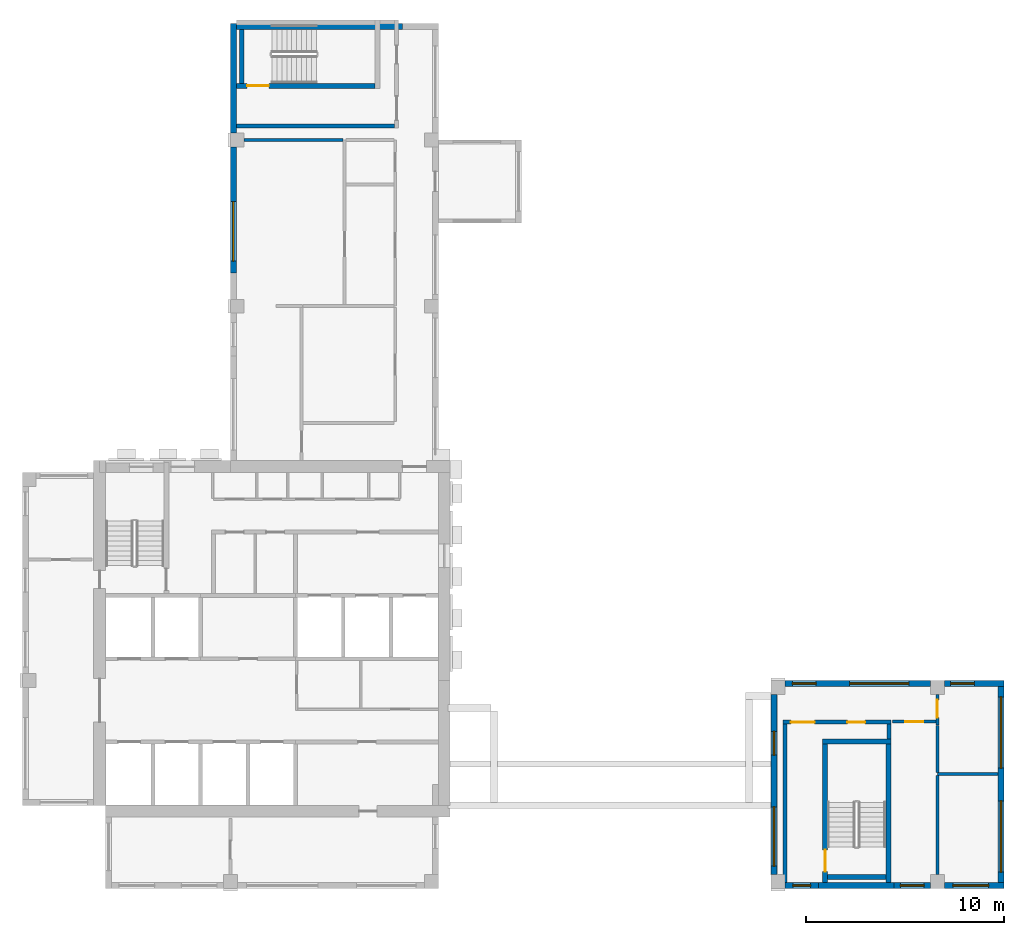
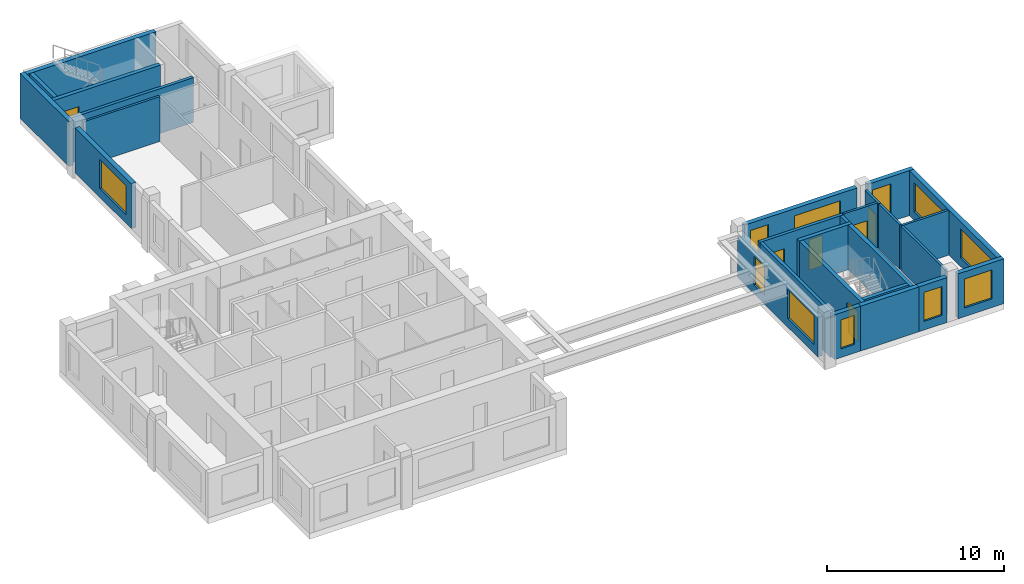
# One storey, part 4 of 8: 27 walls, 11 windows, 6 doors, 17 openings.
"""IFC4 building model written with IfcOpenShell, lengths in metres."""

from ifc_helpers import new_model, si_unit, direction, frame, frame_2d, origin, place, context, subcontext, project, spatial, rectangle, extrude, source, transform, mapped, material, layer, layer_set, type_object, element, fill, save


model = new_model("IFC4")

# Units and contexts
model_context = context("Model", 3, precision=1e-05, world=origin(), true_north=direction((0.0, 1.0)))
body_context = subcontext(model_context, "Body", "Model", "MODEL_VIEW")
ifc_project = project(units=[si_unit("LENGTHUNIT", "METRE"), si_unit("AREAUNIT", "SQUARE_METRE"), si_unit("VOLUMEUNIT", "CUBIC_METRE"), si_unit("PLANEANGLEUNIT", "RADIAN"), si_unit("MASSUNIT", "GRAM", prefix="KILO")], contexts=[model_context])

# Site, building, storey
site_placement = place(None, origin())
site = spatial("IfcSite", under=ifc_project, at=site_placement, CompositionType="ELEMENT")
building_placement = place(site_placement, origin())
building = spatial("IfcBuilding", under=site, at=building_placement, Name="Aurelian Terraces", CompositionType="ELEMENT")
storey_placement = place(building_placement, frame((0.0, 0.0, 302.0)))
storey = spatial("IfcBuildingStorey", under=building, at=storey_placement, Name="L69", CompositionType="ELEMENT", Elevation=302.0)

# Wall, opening, window
ifc_material_1 = material(Name="Terracotta rainscreen cladding", Category="masonry")
ifc_layer_1 = layer(ifc_material_1, 0.3)
ifc_layer_set_1 = layer_set([ifc_layer_1], Name="EW-300")
wall_type_1 = type_object("IfcWallType", Name="EW-300", PredefinedType="STANDARD", material=ifc_layer_set_1)
shared_shape_1 = source(origin(), body_context, "Body", "SweptSolid", [
    extrude(rectangle(XDim=3.01, YDim=0.3, at=frame_2d((1.505, 0.0))), origin(), (0.0, 0.0, 1.0), 3.1),
])
wall_1_placement = place(storey_placement, frame((46.55, 0.15, 0.0), z_axis=(0.0, 0.0, 1.0), x_axis=(1.0, 0.0, 0.0)))
wall_1 = element("IfcWall", 1, at=wall_1_placement, inside=storey, type_object=wall_type_1, Name="External wall L69 F13.22", PredefinedType="STANDARD", context=body_context, shape_type="MappedRepresentation", body=[
    mapped(shared_shape_1, transform((0.0, 0.0, 0.0), scale=1.0)),
])
shared_shape_2 = source(origin(), body_context, "Body", "SweptSolid", [
    extrude(rectangle(XDim=1.8, YDim=2.0, at=frame_2d((0.9, 1.0))), frame((0.0, 0.16, 0.0), z_axis=(0.0, -1.0, 0.0), x_axis=(1.0, 0.0, 0.0)), (0.0, 0.0, 1.0), 0.32),
])
opening_1_placement = place(wall_1_placement, frame((0.43, 0.0, 0.6)))
opening_1 = element("IfcOpeningElement", 2, at=opening_1_placement, cuts=wall_1, Name="Opening W1820", PredefinedType="OPENING", context=body_context, shape_type="MappedRepresentation", body=[
    mapped(shared_shape_2, transform((0.0, 0.0, 0.0), scale=1.0)),
])
ifc_material_2 = material(Name="Clear glazing", Category="glass")
window_type_1 = type_object("IfcWindowType", Name="W-1800x2000", PartitioningType="SINGLE_PANEL", PredefinedType="WINDOW", material=ifc_material_2)
shared_shape_3 = source(origin(), body_context, "Body", "SweptSolid", [
    extrude(rectangle(XDim=1.8, YDim=2.0, at=frame_2d((0.9, 1.0))), frame((0.0, 0.03, 0.0), z_axis=(0.0, -1.0, 0.0), x_axis=(1.0, 0.0, 0.0)), (0.0, 0.0, 1.0), 0.06),
])
window_1_placement = place(opening_1_placement, origin())
window_1 = element("IfcWindow", 3, at=window_1_placement, inside=storey, type_object=window_type_1, Name="Window L69 L69-F13-22-0", OverallHeight=2.0, OverallWidth=1.8, PartitioningType="SINGLE_PANEL", PredefinedType="WINDOW", context=body_context, shape_type="MappedRepresentation", body=[
    mapped(shared_shape_3, transform((0.0, 0.0, 0.0), scale=1.0)),
])
fill(opening_1, window_1)

wall_2_placement = place(storey_placement, frame((49.56, 10.35, 0.0), z_axis=(0.0, 0.0, 1.0), x_axis=(-1.0, 0.0, 0.0)))
wall_2 = element("IfcWall", 4, at=wall_2_placement, inside=storey, type_object=wall_type_1, Name="External wall L69 F15.24", PredefinedType="STANDARD", context=body_context, shape_type="MappedRepresentation", body=[
    mapped(shared_shape_1, transform((0.0, 0.0, 0.0), scale=1.0)),
])
shared_shape_4 = source(origin(), body_context, "Body", "SweptSolid", [
    extrude(rectangle(XDim=1.2, YDim=2.0, at=frame_2d((0.6, 1.0))), frame((0.0, 0.16, 0.0), z_axis=(0.0, -1.0, 0.0), x_axis=(1.0, 0.0, 0.0)), (0.0, 0.0, 1.0), 0.32),
])
opening_2_placement = place(wall_2_placement, frame((1.5, 0.0, 0.6)))
opening_2 = element("IfcOpeningElement", 5, at=opening_2_placement, cuts=wall_2, Name="Opening W1220", PredefinedType="OPENING", context=body_context, shape_type="MappedRepresentation", body=[
    mapped(shared_shape_4, transform((0.0, 0.0, 0.0), scale=1.0)),
])
window_type_2 = type_object("IfcWindowType", Name="W-1200x2000", PartitioningType="SINGLE_PANEL", PredefinedType="WINDOW", material=ifc_material_2)
shared_shape_5 = source(origin(), body_context, "Body", "SweptSolid", [
    extrude(rectangle(XDim=1.2, YDim=2.0, at=frame_2d((0.6, 1.0))), frame((0.0, 0.03, 0.0), z_axis=(0.0, -1.0, 0.0), x_axis=(1.0, 0.0, 0.0)), (0.0, 0.0, 1.0), 0.06),
])
window_2_placement = place(opening_2_placement, origin())
window_2 = element("IfcWindow", 6, at=window_2_placement, inside=storey, type_object=window_type_2, Name="Window L69 L69-F15-24-0", OverallHeight=2.0, OverallWidth=1.2, PartitioningType="SINGLE_PANEL", PredefinedType="WINDOW", context=body_context, shape_type="MappedRepresentation", body=[
    mapped(shared_shape_5, transform((0.0, 0.0, 0.0), scale=1.0)),
])
fill(opening_2, window_2)

# Wall
ifc_material_3 = material(Name="Concrete fc' 40 MPa", Category="concrete")
ifc_layer_2 = layer(ifc_material_3, 0.3)
ifc_layer_set_2 = layer_set([ifc_layer_2], Name="STAIR BAY WALL 300")
wall_type_2 = type_object("IfcWallType", Name="STAIR BAY WALL 300", PredefinedType="SOLIDWALL", material=ifc_layer_set_2)
shared_shape_6 = source(origin(), body_context, "Body", "SweptSolid", [
    extrude(rectangle(XDim=3.8, YDim=0.3, at=frame_2d((1.9, 0.0))), origin(), (0.0, 0.0, 1.0), 3.1),
])
wall_3_placement = place(storey_placement, frame((40.2, 0.15, 0.0), z_axis=(0.0, 0.0, 1.0), x_axis=(1.0, 0.0, 0.0)))
element("IfcWall", 7, at=wall_3_placement, inside=storey, type_object=wall_type_2, Name="Stair bay wall L69 F13.21", PredefinedType="SOLIDWALL", context=body_context, shape_type="MappedRepresentation", body=[
    mapped(shared_shape_6, transform((0.0, 0.0, 0.0), scale=1.0)),
])

# Wall, opening, window
shared_shape_7 = source(origin(), body_context, "Body", "SweptSolid", [
    extrude(rectangle(XDim=1.85, YDim=0.3, at=frame_2d((0.925, 0.0))), origin(), (0.0, 0.0, 1.0), 3.1),
])
wall_4_placement = place(storey_placement, frame((44.0, 0.15, 0.0), z_axis=(0.0, 0.0, 1.0), x_axis=(1.0, 0.0, 0.0)))
wall_4 = element("IfcWall", 8, at=wall_4_placement, inside=storey, type_object=wall_type_1, Name="External wall L69 F13.21", PredefinedType="STANDARD", context=body_context, shape_type="MappedRepresentation", body=[
    mapped(shared_shape_7, transform((0.0, 0.0, 0.0), scale=1.0)),
])
opening_3_placement = place(wall_4_placement, frame((0.325, 0.0, 0.6)))
opening_3 = element("IfcOpeningElement", 9, at=opening_3_placement, cuts=wall_4, Name="Opening W1220", PredefinedType="OPENING", context=body_context, shape_type="MappedRepresentation", body=[
    mapped(shared_shape_4, transform((0.0, 0.0, 0.0), scale=1.0)),
])
window_3_placement = place(opening_3_placement, origin())
window_3 = element("IfcWindow", 10, at=window_3_placement, inside=storey, type_object=window_type_2, Name="Window L69 L69-F13-21-P2", OverallHeight=2.0, OverallWidth=1.2, PartitioningType="SINGLE_PANEL", PredefinedType="WINDOW", context=body_context, shape_type="MappedRepresentation", body=[
    mapped(shared_shape_5, transform((0.0, 0.0, 0.0), scale=1.0)),
])
fill(opening_3, window_3)

# Wall, openings, windows
shared_shape_8 = source(origin(), body_context, "Body", "SweptSolid", [
    extrude(rectangle(XDim=10.5, YDim=0.3, at=frame_2d((5.25, 0.0))), origin(), (0.0, 0.0, 1.0), 3.1),
])
wall_5_placement = place(storey_placement, frame((49.41, 0.0, 0.0), z_axis=(0.0, 0.0, 1.0), x_axis=(0.0, 1.0, 0.0)))
wall_5 = element("IfcWall", 11, at=wall_5_placement, inside=storey, type_object=wall_type_1, Name="External wall L69 F14.23", PredefinedType="STANDARD", context=body_context, shape_type="MappedRepresentation", body=[
    mapped(shared_shape_8, transform((0.0, 0.0, 0.0), scale=1.0)),
])
shared_shape_9 = source(origin(), body_context, "Body", "SweptSolid", [
    extrude(rectangle(XDim=3.6, YDim=2.0, at=frame_2d((1.8, 1.0))), frame((0.0, 0.16, 0.0), z_axis=(0.0, -1.0, 0.0), x_axis=(1.0, 0.0, 0.0)), (0.0, 0.0, 1.0), 0.32),
])
opening_4_placement = place(wall_5_placement, frame((0.825, 0.0, 0.6)))
opening_4 = element("IfcOpeningElement", 12, at=opening_4_placement, cuts=wall_5, Name="Opening W3620", PredefinedType="OPENING", context=body_context, shape_type="MappedRepresentation", body=[
    mapped(shared_shape_9, transform((0.0, 0.0, 0.0), scale=1.0)),
])
opening_5_placement = place(wall_5_placement, frame((6.075, 0.0, 0.6)))
opening_5 = element("IfcOpeningElement", 13, at=opening_5_placement, cuts=wall_5, Name="Opening W3620", PredefinedType="OPENING", context=body_context, shape_type="MappedRepresentation", body=[
    mapped(shared_shape_9, transform((0.0, 0.0, 0.0), scale=1.0)),
])
window_type_3 = type_object("IfcWindowType", Name="W-3600x2000", PartitioningType="SINGLE_PANEL", PredefinedType="WINDOW", material=ifc_material_2)
shared_shape_10 = source(origin(), body_context, "Body", "SweptSolid", [
    extrude(rectangle(XDim=3.6, YDim=2.0, at=frame_2d((1.8, 1.0))), frame((0.0, 0.03, 0.0), z_axis=(0.0, -1.0, 0.0), x_axis=(1.0, 0.0, 0.0)), (0.0, 0.0, 1.0), 0.06),
])
window_4_placement = place(opening_4_placement, origin())
window_4 = element("IfcWindow", 14, at=window_4_placement, inside=storey, type_object=window_type_3, Name="Window L69 L69-F14-23-0", OverallHeight=2.0, OverallWidth=3.6, PartitioningType="SINGLE_PANEL", PredefinedType="WINDOW", context=body_context, shape_type="MappedRepresentation", body=[
    mapped(shared_shape_10, transform((0.0, 0.0, 0.0), scale=1.0)),
])
fill(opening_4, window_4)
window_5_placement = place(opening_5_placement, origin())
window_5 = element("IfcWindow", 15, at=window_5_placement, inside=storey, type_object=window_type_3, Name="Window L69 L69-F14-23-1", OverallHeight=2.0, OverallWidth=3.6, PartitioningType="SINGLE_PANEL", PredefinedType="WINDOW", context=body_context, shape_type="MappedRepresentation", body=[
    mapped(shared_shape_10, transform((0.0, 0.0, 0.0), scale=1.0)),
])
fill(opening_5, window_5)

# Walls
shared_shape_11 = source(origin(), body_context, "Body", "SweptSolid", [
    extrude(rectangle(XDim=8.6, YDim=0.3, at=frame_2d((4.3, 0.0))), origin(), (0.0, 0.0, 1.0), 3.1),
])
wall_6_placement = place(storey_placement, frame((19.2, 43.53, 0.0), z_axis=(0.0, 0.0, 1.0), x_axis=(-1.0, 0.0, 0.0)))
element("IfcWall", 16, at=wall_6_placement, inside=storey, type_object=wall_type_2, Name="Stair bay wall L69 F03.9", PredefinedType="SOLIDWALL", context=body_context, shape_type="MappedRepresentation", body=[
    mapped(shared_shape_11, transform((0.0, 0.0, 0.0), scale=1.0)),
])
shared_shape_12 = source(origin(), body_context, "Body", "SweptSolid", [
    extrude(rectangle(XDim=5.53, YDim=0.3, at=frame_2d((2.765, 0.0))), origin(), (0.0, 0.0, 1.0), 3.1),
])
wall_7_placement = place(storey_placement, frame((10.65, 43.68, 0.0), z_axis=(0.0, 0.0, 1.0), x_axis=(0.0, -1.0, 0.0)))
element("IfcWall", 17, at=wall_7_placement, inside=storey, type_object=wall_type_2, Name="Stair bay wall L69 F04.10", PredefinedType="SOLIDWALL", context=body_context, shape_type="MappedRepresentation", body=[
    mapped(shared_shape_12, transform((0.0, 0.0, 0.0), scale=1.0)),
])

# Wall, opening, window
shared_shape_13 = source(origin(), body_context, "Body", "SweptSolid", [
    extrude(rectangle(XDim=6.37, YDim=0.3, at=frame_2d((3.185, 0.0))), origin(), (0.0, 0.0, 1.0), 3.1),
])
wall_8_placement = place(storey_placement, frame((10.65, 37.45, 0.0), z_axis=(0.0, 0.0, 1.0), x_axis=(0.0, -1.0, 0.0)))
wall_8 = element("IfcWall", 18, at=wall_8_placement, inside=storey, type_object=wall_type_1, Name="External wall L69 F04.10", PredefinedType="STANDARD", context=body_context, shape_type="MappedRepresentation", body=[
    mapped(shared_shape_13, transform((0.0, 0.0, 0.0), scale=1.0)),
])
shared_shape_14 = source(origin(), body_context, "Body", "SweptSolid", [
    extrude(rectangle(XDim=3.0, YDim=2.0, at=frame_2d((1.5, 1.0))), frame((0.0, 0.16, 0.0), z_axis=(0.0, -1.0, 0.0), x_axis=(1.0, 0.0, 0.0)), (0.0, 0.0, 1.0), 0.32),
])
opening_6_placement = place(wall_8_placement, frame((2.77, 0.0, 0.6)))
opening_6 = element("IfcOpeningElement", 19, at=opening_6_placement, cuts=wall_8, Name="Opening W3020", PredefinedType="OPENING", context=body_context, shape_type="MappedRepresentation", body=[
    mapped(shared_shape_14, transform((0.0, 0.0, 0.0), scale=1.0)),
])
window_type_4 = type_object("IfcWindowType", Name="W-3000x2000", PartitioningType="SINGLE_PANEL", PredefinedType="WINDOW", material=ifc_material_2)
shared_shape_15 = source(origin(), body_context, "Body", "SweptSolid", [
    extrude(rectangle(XDim=3.0, YDim=2.0, at=frame_2d((1.5, 1.0))), frame((0.0, 0.03, 0.0), z_axis=(0.0, -1.0, 0.0), x_axis=(1.0, 0.0, 0.0)), (0.0, 0.0, 1.0), 0.06),
])
window_6_placement = place(opening_6_placement, origin())
window_6 = element("IfcWindow", 20, at=window_6_placement, inside=storey, type_object=window_type_4, Name="Window L69 L69-F04-10-2", OverallHeight=2.0, OverallWidth=3.0, PartitioningType="SINGLE_PANEL", PredefinedType="WINDOW", context=body_context, shape_type="MappedRepresentation", body=[
    mapped(shared_shape_15, transform((0.0, 0.0, 0.0), scale=1.0)),
])
fill(opening_6, window_6)

shared_shape_16 = source(origin(), body_context, "Body", "SweptSolid", [
    extrude(rectangle(XDim=1.7, YDim=0.3, at=frame_2d((0.85, 0.0))), origin(), (0.0, 0.0, 1.0), 3.1),
])
wall_9_placement = place(storey_placement, frame((38.5, 0.15, 0.0), z_axis=(0.0, 0.0, 1.0), x_axis=(1.0, 0.0, 0.0)))
wall_9 = element("IfcWall", 21, at=wall_9_placement, inside=storey, type_object=wall_type_1, Name="External wall L69 F13.21", PredefinedType="STANDARD", context=body_context, shape_type="MappedRepresentation", body=[
    mapped(shared_shape_16, transform((0.0, 0.0, 0.0), scale=1.0)),
])
shared_shape_17 = source(origin(), body_context, "Body", "SweptSolid", [
    extrude(rectangle(XDim=0.9, YDim=2.0, at=frame_2d((0.45, 1.0))), frame((0.0, 0.16, 0.0), z_axis=(0.0, -1.0, 0.0), x_axis=(1.0, 0.0, 0.0)), (0.0, 0.0, 1.0), 0.32),
])
opening_7_placement = place(wall_9_placement, frame((0.4, 0.0, 0.6)))
opening_7 = element("IfcOpeningElement", 22, at=opening_7_placement, cuts=wall_9, Name="Opening W0920", PredefinedType="OPENING", context=body_context, shape_type="MappedRepresentation", body=[
    mapped(shared_shape_17, transform((0.0, 0.0, 0.0), scale=1.0)),
])
window_type_5 = type_object("IfcWindowType", Name="W-900x2000", PartitioningType="SINGLE_PANEL", PredefinedType="WINDOW", material=ifc_material_2)
shared_shape_18 = source(origin(), body_context, "Body", "SweptSolid", [
    extrude(rectangle(XDim=0.9, YDim=2.0, at=frame_2d((0.45, 1.0))), frame((0.0, 0.03, 0.0), z_axis=(0.0, -1.0, 0.0), x_axis=(1.0, 0.0, 0.0)), (0.0, 0.0, 1.0), 0.06),
])
window_7_placement = place(opening_7_placement, origin())
window_7 = element("IfcWindow", 23, at=window_7_placement, inside=storey, type_object=window_type_5, Name="Window L69 L69-F13-21-P0", OverallHeight=2.0, OverallWidth=0.9, PartitioningType="SINGLE_PANEL", PredefinedType="WINDOW", context=body_context, shape_type="MappedRepresentation", body=[
    mapped(shared_shape_18, transform((0.0, 0.0, 0.0), scale=1.0)),
])
fill(opening_7, window_7)

# Wall, openings, windows
shared_shape_19 = source(origin(), body_context, "Body", "SweptSolid", [
    extrude(rectangle(XDim=7.35, YDim=0.3, at=frame_2d((3.675, 0.0))), origin(), (0.0, 0.0, 1.0), 3.1),
])
wall_10_placement = place(storey_placement, frame((45.85, 10.35, 0.0), z_axis=(0.0, 0.0, 1.0), x_axis=(-1.0, 0.0, 0.0)))
wall_10 = element("IfcWall", 24, at=wall_10_placement, inside=storey, type_object=wall_type_1, Name="External wall L69 F15.24", PredefinedType="STANDARD", context=body_context, shape_type="MappedRepresentation", body=[
    mapped(shared_shape_19, transform((0.0, 0.0, 0.0), scale=1.0)),
])
opening_8_placement = place(wall_10_placement, frame((1.09, 0.0, 0.6)))
opening_8 = element("IfcOpeningElement", 25, at=opening_8_placement, cuts=wall_10, Name="Opening W3020", PredefinedType="OPENING", context=body_context, shape_type="MappedRepresentation", body=[
    mapped(shared_shape_14, transform((0.0, 0.0, 0.0), scale=1.0)),
])
opening_9_placement = place(wall_10_placement, frame((5.77, 0.0, 0.6)))
opening_9 = element("IfcOpeningElement", 26, at=opening_9_placement, cuts=wall_10, Name="Opening W1220", PredefinedType="OPENING", context=body_context, shape_type="MappedRepresentation", body=[
    mapped(shared_shape_4, transform((0.0, 0.0, 0.0), scale=1.0)),
])
window_8_placement = place(opening_8_placement, origin())
window_8 = element("IfcWindow", 27, at=window_8_placement, inside=storey, type_object=window_type_4, Name="Window L69 L69-F15-24-1", OverallHeight=2.0, OverallWidth=3.0, PartitioningType="SINGLE_PANEL", PredefinedType="WINDOW", context=body_context, shape_type="MappedRepresentation", body=[
    mapped(shared_shape_15, transform((0.0, 0.0, 0.0), scale=1.0)),
])
fill(opening_8, window_8)
window_9_placement = place(opening_9_placement, origin())
window_9 = element("IfcWindow", 28, at=window_9_placement, inside=storey, type_object=window_type_2, Name="Window L69 L69-F15-24-2", OverallHeight=2.0, OverallWidth=1.2, PartitioningType="SINGLE_PANEL", PredefinedType="WINDOW", context=body_context, shape_type="MappedRepresentation", body=[
    mapped(shared_shape_5, transform((0.0, 0.0, 0.0), scale=1.0)),
])
fill(opening_9, window_9)

shared_shape_20 = source(origin(), body_context, "Body", "SweptSolid", [
    extrude(rectangle(XDim=9.1, YDim=0.3, at=frame_2d((4.55, 0.0))), origin(), (0.0, 0.0, 1.0), 2.7438),
])
wall_11_placement = place(storey_placement, frame((37.95, 9.8, 0.0), z_axis=(0.0, 0.0, 1.0), x_axis=(0.0, -1.0, 0.0)))
wall_11 = element("IfcWall", 29, at=wall_11_placement, inside=storey, type_object=wall_type_1, Name="External wall L69 F16.25", PredefinedType="STANDARD", context=body_context, shape_type="MappedRepresentation", body=[
    mapped(shared_shape_20, transform((0.0, 0.0, 0.0), scale=1.0)),
])
opening_10_placement = place(wall_11_placement, frame((1.8625, 0.0, 0.6)))
opening_10 = element("IfcOpeningElement", 30, at=opening_10_placement, cuts=wall_11, Name="Opening W1220", PredefinedType="OPENING", context=body_context, shape_type="MappedRepresentation", body=[
    mapped(shared_shape_4, transform((0.0, 0.0, 0.0), scale=1.0)),
])
opening_11_placement = place(wall_11_placement, frame((5.675, 0.0, 0.6)))
opening_11 = element("IfcOpeningElement", 31, at=opening_11_placement, cuts=wall_11, Name="Opening W3020", PredefinedType="OPENING", context=body_context, shape_type="MappedRepresentation", body=[
    mapped(shared_shape_14, transform((0.0, 0.0, 0.0), scale=1.0)),
])
window_10_placement = place(opening_11_placement, origin())
window_10 = element("IfcWindow", 32, at=window_10_placement, inside=storey, type_object=window_type_4, Name="Window L69 L69-F16-25-1", OverallHeight=2.0, OverallWidth=3.0, PartitioningType="SINGLE_PANEL", PredefinedType="WINDOW", context=body_context, shape_type="MappedRepresentation", body=[
    mapped(shared_shape_15, transform((0.0, 0.0, 0.0), scale=1.0)),
])
fill(opening_11, window_10)
window_11_placement = place(opening_10_placement, origin())
window_11 = element("IfcWindow", 33, at=window_11_placement, inside=storey, type_object=window_type_2, Name="Window L69 L69-F16-25-0", OverallHeight=2.0, OverallWidth=1.2, PartitioningType="SINGLE_PANEL", PredefinedType="WINDOW", context=body_context, shape_type="MappedRepresentation", body=[
    mapped(shared_shape_5, transform((0.0, 0.0, 0.0), scale=1.0)),
])
fill(opening_10, window_11)

# Wall, opening, door
ifc_layer_3 = layer(ifc_material_3, 0.25)
ifc_layer_set_3 = layer_set([ifc_layer_3], Name="Stair enclosure wall 250")
wall_type_3 = type_object("IfcWallType", Name="Stair enclosure wall 250", PredefinedType="SOLIDWALL", material=ifc_layer_set_3)
shared_shape_21 = source(origin(), body_context, "Body", "SweptSolid", [
    extrude(rectangle(XDim=7.0, YDim=0.25, at=frame_2d((3.5, 0.0))), origin(), (0.0, 0.0, 1.0), 3.1),
])
wall_12_placement = place(storey_placement, frame((40.525, 0.3, 0.0), z_axis=(0.0, 0.0, 1.0), x_axis=(0.0, 1.0, 0.0)))
wall_12 = element("IfcWall", 34, at=wall_12_placement, inside=storey, type_object=wall_type_3, Name="L69 core wall ST-S2-W", PredefinedType="SOLIDWALL", context=body_context, shape_type="MappedRepresentation", body=[
    mapped(shared_shape_21, transform((0.0, 0.0, 0.0), scale=1.0)),
])
shared_shape_22 = source(origin(), body_context, "Body", "SweptSolid", [
    extrude(rectangle(XDim=1.1, YDim=2.1, at=frame_2d((0.55, 1.05))), frame((0.0, 0.135, 0.0), z_axis=(0.0, -1.0, 0.0), x_axis=(1.0, 0.0, 0.0)), (0.0, 0.0, 1.0), 0.27),
])
opening_12_placement = place(wall_12_placement, frame((0.55, 0.0, 0.0)))
opening_12 = element("IfcOpeningElement", 35, at=opening_12_placement, cuts=wall_12, Name="Opening 67222", PredefinedType="OPENING", context=body_context, shape_type="MappedRepresentation", body=[
    mapped(shared_shape_22, transform((0.0, 0.0, 0.0), scale=1.0)),
])
ifc_material_4 = material(Name="Steel door leaf", Category="steel")
door_type_1 = type_object("IfcDoorType", Name="Core fire door 1100x2100", OperationType="SINGLE_SWING_LEFT", PredefinedType="DOOR", material=ifc_material_4)
shared_shape_23 = source(origin(), body_context, "Body", "SweptSolid", [
    extrude(rectangle(XDim=1.1, YDim=2.1, at=frame_2d((0.55, 1.05))), frame((0.0, 0.025, 0.0), z_axis=(0.0, -1.0, 0.0), x_axis=(1.0, 0.0, 0.0)), (0.0, 0.0, 1.0), 0.05),
])
door_1_placement = place(opening_12_placement, origin())
door_1 = element("IfcDoor", 36, at=door_1_placement, inside=storey, type_object=door_type_1, Name="Stair door 67222", OperationType="SINGLE_SWING_LEFT", OverallHeight=2.1, OverallWidth=1.1, PredefinedType="DOOR", context=body_context, shape_type="MappedRepresentation", body=[
    mapped(shared_shape_23, transform((0.0, 0.0, 0.0), scale=1.0)),
])
fill(opening_12, door_1)

# Wall
wall_13_placement = place(storey_placement, frame((43.725, 0.3, 0.0), z_axis=(0.0, 0.0, 1.0), x_axis=(0.0, 1.0, 0.0)))
element("IfcWall", 37, at=wall_13_placement, inside=storey, type_object=wall_type_3, Name="L69 core wall ST-S2-E", PredefinedType="SOLIDWALL", context=body_context, shape_type="MappedRepresentation", body=[
    mapped(shared_shape_21, transform((0.0, 0.0, 0.0), scale=1.0)),
])

# Wall, opening, door
wall_14_placement = place(storey_placement, frame((10.8, 40.525, 0.0), z_axis=(0.0, 0.0, 1.0), x_axis=(1.0, 0.0, 0.0)))
wall_14 = element("IfcWall", 38, at=wall_14_placement, inside=storey, type_object=wall_type_3, Name="L69 core wall ST-S3U-W", PredefinedType="SOLIDWALL", context=body_context, shape_type="MappedRepresentation", body=[
    mapped(shared_shape_21, transform((0.0, 0.0, 0.0), scale=1.0)),
])
opening_13_placement = place(wall_14_placement, frame((0.55, 0.0, 0.0)))
opening_13 = element("IfcOpeningElement", 39, at=opening_13_placement, cuts=wall_14, Name="Opening 67225", PredefinedType="OPENING", context=body_context, shape_type="MappedRepresentation", body=[
    mapped(shared_shape_22, transform((0.0, 0.0, 0.0), scale=1.0)),
])
door_type_2 = type_object("IfcDoorType", Name="Core fire door 1100x2100 right", OperationType="SINGLE_SWING_RIGHT", PredefinedType="DOOR", material=ifc_material_4)
door_2_placement = place(opening_13_placement, origin())
door_2 = element("IfcDoor", 40, at=door_2_placement, inside=storey, type_object=door_type_2, Name="Stair door 67225", OperationType="SINGLE_SWING_RIGHT", OverallHeight=2.1, OverallWidth=1.1, PredefinedType="DOOR", context=body_context, shape_type="MappedRepresentation", body=[
    mapped(shared_shape_23, transform((0.0, 0.0, 0.0), scale=1.0)),
])
fill(opening_13, door_2)

# Walls
shared_shape_24 = source(origin(), body_context, "Body", "SweptSolid", [
    extrude(rectangle(XDim=3.45, YDim=0.25, at=frame_2d((1.725, 0.0))), origin(), (0.0, 0.0, 1.0), 3.1),
])
wall_15_placement = place(storey_placement, frame((40.4, 7.425, 0.0), z_axis=(0.0, 0.0, 1.0), x_axis=(1.0, 0.0, 0.0)))
element("IfcWall", 41, at=wall_15_placement, inside=storey, type_object=wall_type_3, Name="L69 core wall ST-S2-N", PredefinedType="SOLIDWALL", context=body_context, shape_type="MappedRepresentation", body=[
    mapped(shared_shape_24, transform((0.0, 0.0, 0.0), scale=1.0)),
])
ifc_material_5 = material(Name="Gypsum board on steel studs", Category="steel")
ifc_layer_4 = layer(ifc_material_5, 0.2)
ifc_layer_set_4 = layer_set([ifc_layer_4], Name="Core partition 200")
wall_type_4 = type_object("IfcWallType", Name="Core partition 200", PredefinedType="PARTITIONING", material=ifc_layer_set_4)
shared_shape_25 = source(origin(), body_context, "Body", "SweptSolid", [
    extrude(rectangle(XDim=8.0, YDim=0.2, at=frame_2d((4.0, 0.0))), origin(), (0.0, 0.0, 1.0), 3.1),
])
for number, where, z_axis, x_axis, name in (
    (42, (38.5, 0.3, 0.0), (0.0, 0.0, 1.0), (0.0, 1.0, 0.0), "L69 core wall ST-S2-VW"),
    (43, (10.8, 38.5, 0.0), (0.0, 0.0, 1.0), (1.0, 0.0, 0.0), "L69 core wall ST-S3U-VW"),
):
    element("IfcWall", number, at=place(storey_placement, frame(where, z_axis=z_axis, x_axis=x_axis)), inside=storey, type_object=wall_type_4, Name=name, PredefinedType="PARTITIONING", context=body_context, shape_type="MappedRepresentation", body=[
        mapped(shared_shape_25, transform((0.0, 0.0, 0.0), scale=1.0)),
    ])

# Wall, openings, doors
shared_shape_26 = source(origin(), body_context, "Body", "SweptSolid", [
    extrude(rectangle(XDim=5.45, YDim=0.2, at=frame_2d((2.725, 0.0))), origin(), (0.0, 0.0, 1.0), 3.1),
])
wall_16_placement = place(storey_placement, frame((38.4, 8.4, 0.0), z_axis=(0.0, 0.0, 1.0), x_axis=(1.0, 0.0, 0.0)))
wall_16 = element("IfcWall", 44, at=wall_16_placement, inside=storey, type_object=wall_type_4, Name="L69 core wall ST-S2-BN", PredefinedType="PARTITIONING", context=body_context, shape_type="MappedRepresentation", body=[
    mapped(shared_shape_26, transform((0.0, 0.0, 0.0), scale=1.0)),
])
shared_shape_27 = source(origin(), body_context, "Body", "SweptSolid", [
    extrude(rectangle(XDim=1.2, YDim=2.1, at=frame_2d((0.6, 1.05))), frame((0.0, 0.11, 0.0), z_axis=(0.0, -1.0, 0.0), x_axis=(1.0, 0.0, 0.0)), (0.0, 0.0, 1.0), 0.22),
])
opening_14_placement = place(wall_16_placement, frame((0.4, 0.0, 0.0)))
opening_14 = element("IfcOpeningElement", 45, at=opening_14_placement, cuts=wall_16, Name="Opening 67223", PredefinedType="OPENING", context=body_context, shape_type="MappedRepresentation", body=[
    mapped(shared_shape_27, transform((0.0, 0.0, 0.0), scale=1.0)),
])
shared_shape_28 = source(origin(), body_context, "Body", "SweptSolid", [
    extrude(rectangle(XDim=0.9, YDim=2.1, at=frame_2d((0.45, 1.05))), frame((0.0, 0.11, 0.0), z_axis=(0.0, -1.0, 0.0), x_axis=(1.0, 0.0, 0.0)), (0.0, 0.0, 1.0), 0.22),
])
opening_15_placement = place(wall_16_placement, frame((3.25, 0.0, 0.0)))
opening_15 = element("IfcOpeningElement", 46, at=opening_15_placement, cuts=wall_16, Name="Opening 67224", PredefinedType="OPENING", context=body_context, shape_type="MappedRepresentation", body=[
    mapped(shared_shape_28, transform((0.0, 0.0, 0.0), scale=1.0)),
])
door_type_3 = type_object("IfcDoorType", Name="Core riser door 900x2100", OperationType="SINGLE_SWING_LEFT", PredefinedType="DOOR", material=ifc_material_4)
shared_shape_29 = source(origin(), body_context, "Body", "SweptSolid", [
    extrude(rectangle(XDim=0.9, YDim=2.1, at=frame_2d((0.45, 1.05))), frame((0.0, 0.025, 0.0), z_axis=(0.0, -1.0, 0.0), x_axis=(1.0, 0.0, 0.0)), (0.0, 0.0, 1.0), 0.05),
])
door_3_placement = place(opening_15_placement, origin())
door_3 = element("IfcDoor", 47, at=door_3_placement, inside=storey, type_object=door_type_3, Name="Riser door 67224", OperationType="SINGLE_SWING_LEFT", OverallHeight=2.1, OverallWidth=0.9, PredefinedType="DOOR", context=body_context, shape_type="MappedRepresentation", body=[
    mapped(shared_shape_29, transform((0.0, 0.0, 0.0), scale=1.0)),
])
fill(opening_15, door_3)
door_type_4 = type_object("IfcDoorType", Name="Core fire door 1200x2100 right", OperationType="SINGLE_SWING_RIGHT", PredefinedType="DOOR", material=ifc_material_4)
shared_shape_30 = source(origin(), body_context, "Body", "SweptSolid", [
    extrude(rectangle(XDim=1.2, YDim=2.1, at=frame_2d((0.6, 1.05))), frame((0.0, 0.025, 0.0), z_axis=(0.0, -1.0, 0.0), x_axis=(1.0, 0.0, 0.0)), (0.0, 0.0, 1.0), 0.05),
])
door_4_placement = place(opening_14_placement, origin())
door_4 = element("IfcDoor", 48, at=door_4_placement, inside=storey, type_object=door_type_4, Name="Vestibule door 67223", OperationType="SINGLE_SWING_RIGHT", OverallHeight=2.1, OverallWidth=1.2, PredefinedType="DOOR", context=body_context, shape_type="MappedRepresentation", body=[
    mapped(shared_shape_30, transform((0.0, 0.0, 0.0), scale=1.0)),
])
fill(opening_14, door_4)

# Walls
shared_shape_31 = source(origin(), body_context, "Body", "SweptSolid", [
    extrude(rectangle(XDim=0.75, YDim=0.2, at=frame_2d((0.375, 0.0))), origin(), (0.0, 0.0, 1.0), 3.1),
])
wall_17_placement = place(storey_placement, frame((43.75, 7.55, 0.0), z_axis=(0.0, 0.0, 1.0), x_axis=(0.0, 1.0, 0.0)))
element("IfcWall", 49, at=wall_17_placement, inside=storey, type_object=wall_type_4, Name="L69 core wall ST-S2-RE", PredefinedType="PARTITIONING", context=body_context, shape_type="MappedRepresentation", body=[
    mapped(shared_shape_31, transform((0.0, 0.0, 0.0), scale=1.0)),
])
shared_shape_32 = source(origin(), body_context, "Body", "SweptSolid", [
    extrude(rectangle(XDim=2.95, YDim=0.25, at=frame_2d((1.475, 0.0))), origin(), (0.0, 0.0, 1.0), 3.1),
])
wall_18_placement = place(storey_placement, frame((40.65, 0.575, 0.0), z_axis=(0.0, 0.0, 1.0), x_axis=(1.0, 0.0, 0.0)))
element("IfcWall", 50, at=wall_18_placement, inside=storey, type_object=wall_type_3, Name="L69 core wall ST-S2-SS", PredefinedType="SOLIDWALL", context=body_context, shape_type="MappedRepresentation", body=[
    mapped(shared_shape_32, transform((0.0, 0.0, 0.0), scale=1.0)),
])
shared_shape_33 = source(origin(), body_context, "Body", "SweptSolid", [
    extrude(rectangle(XDim=2.73, YDim=0.25, at=frame_2d((1.365, 0.0))), origin(), (0.0, 0.0, 1.0), 3.1),
])
wall_19_placement = place(storey_placement, frame((11.075, 40.65, 0.0), z_axis=(0.0, 0.0, 1.0), x_axis=(0.0, 1.0, 0.0)))
element("IfcWall", 51, at=wall_19_placement, inside=storey, type_object=wall_type_3, Name="L69 core wall ST-S3U-SS", PredefinedType="SOLIDWALL", context=body_context, shape_type="MappedRepresentation", body=[
    mapped(shared_shape_33, transform((0.0, 0.0, 0.0), scale=1.0)),
])
ifc_layer_5 = layer(ifc_material_5, 0.15)
ifc_layer_set_5 = layer_set([ifc_layer_5], Name="Partition 150")
wall_type_5 = type_object("IfcWallType", Name="Partition 150", PredefinedType="PARTITIONING", material=ifc_layer_set_5)
shared_shape_34 = source(origin(), body_context, "Body", "SweptSolid", [
    extrude(rectangle(XDim=3.06, YDim=0.15, at=frame_2d((1.53, 0.0))), origin(), (0.0, 0.0, 1.0), 3.1),
])
wall_20_placement = place(storey_placement, frame((49.26, 5.775, 0.0), z_axis=(0.0, 0.0, 1.0), x_axis=(-1.0, 0.0, 0.0)))
element("IfcWall", 52, at=wall_20_placement, inside=storey, type_object=wall_type_5, Name="Partition", PredefinedType="PARTITIONING", context=body_context, shape_type="MappedRepresentation", body=[
    mapped(shared_shape_34, transform((0.0, 0.0, 0.0), scale=1.0)),
])

# Wall, opening, door
shared_shape_35 = source(origin(), body_context, "Body", "SweptSolid", [
    extrude(rectangle(XDim=2.2, YDim=0.15, at=frame_2d((1.1, 0.0))), origin(), (0.0, 0.0, 1.0), 3.1),
])
wall_21_placement = place(storey_placement, frame((46.125, 8.425, 0.0), z_axis=(0.0, 0.0, 1.0), x_axis=(-1.0, 0.0, 0.0)))
wall_21 = element("IfcWall", 53, at=wall_21_placement, inside=storey, type_object=wall_type_5, Name="Partition", PredefinedType="PARTITIONING", context=body_context, shape_type="MappedRepresentation", body=[
    mapped(shared_shape_35, transform((0.0, 0.0, 0.0), scale=1.0)),
])
shared_shape_36 = source(origin(), body_context, "Body", "SweptSolid", [
    extrude(rectangle(XDim=0.9, YDim=2.1, at=frame_2d((0.45, 1.05))), frame((0.0, 0.085, 0.0), z_axis=(0.0, -1.0, 0.0), x_axis=(1.0, 0.0, 0.0)), (0.0, 0.0, 1.0), 0.17),
])
opening_16_placement = place(wall_21_placement, frame((0.65, 0.0, 0.0)))
opening_16 = element("IfcOpeningElement", 54, at=opening_16_placement, cuts=wall_21, Name="Opening 769002", PredefinedType="OPENING", context=body_context, shape_type="MappedRepresentation", body=[
    mapped(shared_shape_36, transform((0.0, 0.0, 0.0), scale=1.0)),
])
ifc_material_6 = material(Name="Timber door leaf", Category="wood")
door_type_5 = type_object("IfcDoorType", Name="Room door 900x2100 left", OperationType="SINGLE_SWING_LEFT", PredefinedType="DOOR", material=ifc_material_6)
door_5_placement = place(opening_16_placement, origin())
door_5 = element("IfcDoor", 55, at=door_5_placement, inside=storey, type_object=door_type_5, Name="Door 769002", OperationType="SINGLE_SWING_LEFT", OverallHeight=2.1, OverallWidth=0.9, PredefinedType="DOOR", context=body_context, shape_type="MappedRepresentation", body=[
    mapped(shared_shape_29, transform((0.0, 0.0, 0.0), scale=1.0)),
])
fill(opening_16, door_5)

# Walls
ifc_layer_6 = layer(ifc_material_5, 0.15)
ifc_layer_set_6 = layer_set([ifc_layer_6], Name="Fire partition 150")
wall_type_6 = type_object("IfcWallType", Name="Fire partition 150", PredefinedType="PARTITIONING", material=ifc_layer_set_6)
shared_shape_37 = source(origin(), body_context, "Body", "SweptSolid", [
    extrude(rectangle(XDim=5.001, YDim=0.15, at=frame_2d((2.5005, 0.0))), origin(), (0.0, 0.0, 1.0), 3.1),
])
for number, where, z_axis, x_axis, name in (
    (56, (46.2, 0.699, 0.0), (0.0, 0.0, 1.0), (0.0, 1.0, 0.0), "Party wall"),
    (57, (16.2, 37.8, 0.0), (0.0, 0.0, 1.0), (-1.0, 0.0, 0.0), "Party wall"),
):
    element("IfcWall", number, at=place(storey_placement, frame(where, z_axis=z_axis, x_axis=x_axis)), inside=storey, type_object=wall_type_6, Name=name, PredefinedType="PARTITIONING", context=body_context, shape_type="MappedRepresentation", body=[
        mapped(shared_shape_37, transform((0.0, 0.0, 0.0), scale=1.0)),
    ])

# Wall, opening, door
shared_shape_38 = source(origin(), body_context, "Body", "SweptSolid", [
    extrude(rectangle(XDim=1.551, YDim=0.15, at=frame_2d((0.7755, 0.0))), origin(), (0.0, 0.0, 1.0), 3.1),
])
wall_22_placement = place(storey_placement, frame((46.2, 9.801, 0.0), z_axis=(0.0, 0.0, 1.0), x_axis=(0.0, -1.0, 0.0)))
wall_22 = element("IfcWall", 58, at=wall_22_placement, inside=storey, type_object=wall_type_5, Name="Partition", PredefinedType="PARTITIONING", context=body_context, shape_type="MappedRepresentation", body=[
    mapped(shared_shape_38, transform((0.0, 0.0, 0.0), scale=1.0)),
])
opening_17_placement = place(wall_22_placement, frame((0.275, 0.0, 0.0)))
opening_17 = element("IfcOpeningElement", 59, at=opening_17_placement, cuts=wall_22, Name="Opening 769009", PredefinedType="OPENING", context=body_context, shape_type="MappedRepresentation", body=[
    mapped(shared_shape_36, transform((0.0, 0.0, 0.0), scale=1.0)),
])
door_6_placement = place(opening_17_placement, origin())
door_6 = element("IfcDoor", 60, at=door_6_placement, inside=storey, type_object=door_type_5, Name="Door 769009", OperationType="SINGLE_SWING_LEFT", OverallHeight=2.1, OverallWidth=0.9, PredefinedType="DOOR", context=body_context, shape_type="MappedRepresentation", body=[
    mapped(shared_shape_29, transform((0.0, 0.0, 0.0), scale=1.0)),
])
fill(opening_17, door_6)

# Wall
shared_shape_39 = source(origin(), body_context, "Body", "SweptSolid", [
    extrude(rectangle(XDim=2.38, YDim=0.15, at=frame_2d((1.19, 0.0))), origin(), (0.0, 0.0, 1.0), 3.1),
])
wall_23_placement = place(storey_placement, frame((46.2, 5.85, 0.0), z_axis=(0.0, 0.0, 1.0), x_axis=(0.0, 1.0, 0.0)))
element("IfcWall", 61, at=wall_23_placement, inside=storey, type_object=wall_type_6, Name="Party wall", PredefinedType="PARTITIONING", context=body_context, shape_type="MappedRepresentation", body=[
    mapped(shared_shape_39, transform((0.0, 0.0, 0.0), scale=1.0)),
])

save(model, "model.ifc")
